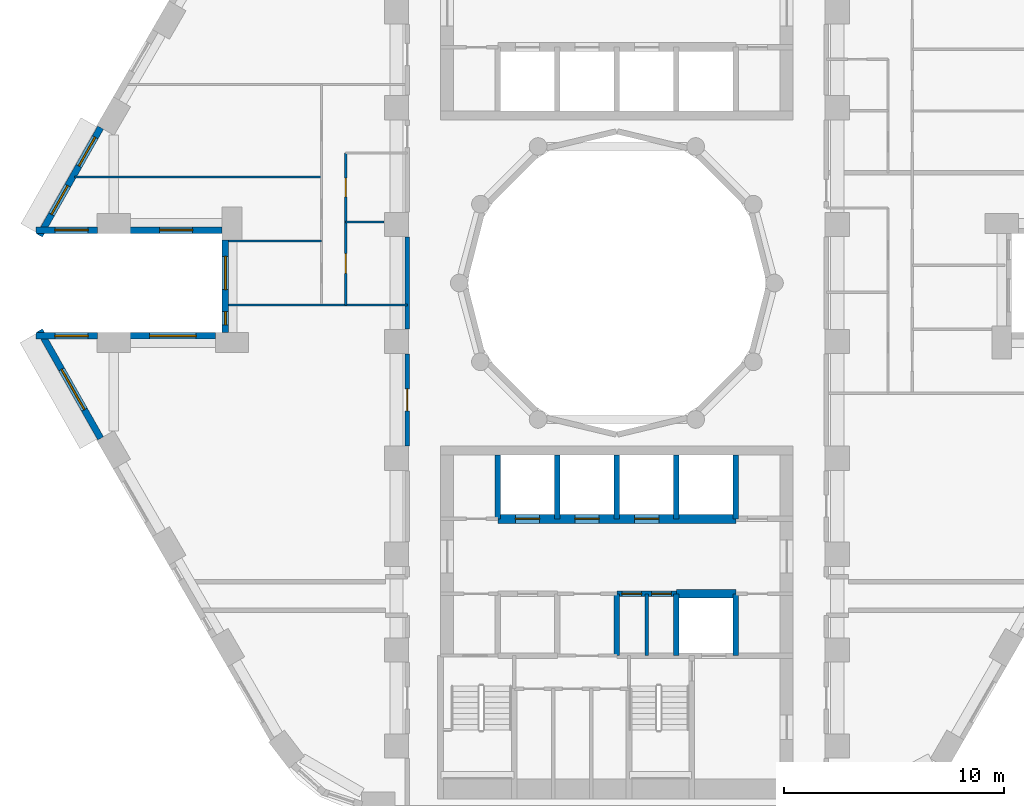
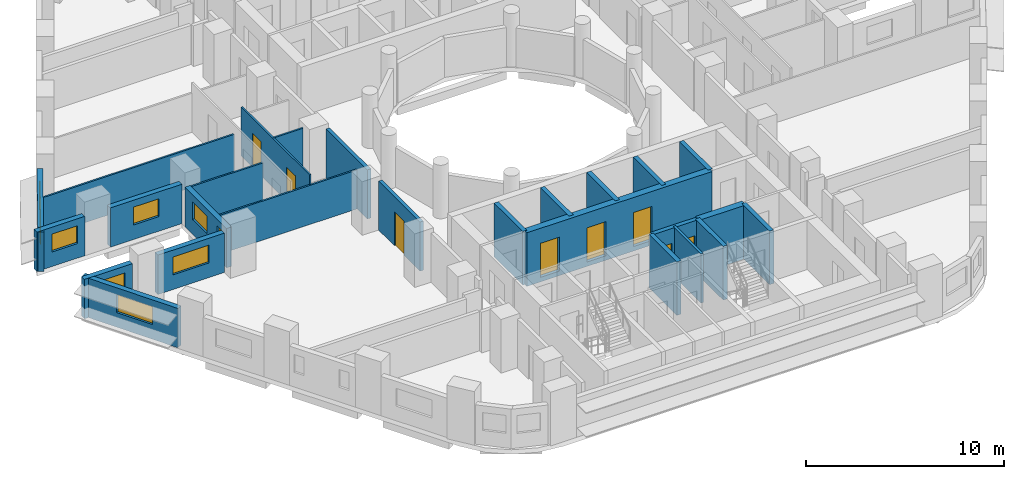
# One storey, part 4 of 13: 26 walls, 9 windows, 8 doors, 17 openings.
"""IFC4 building model written with IfcOpenShell, lengths in metres."""

from ifc_helpers import new_model, si_unit, direction, frame, frame_2d, origin, place, context, subcontext, project, spatial, rectangle, extrude, material, layer, layer_set, type_object, element, fill, save


model = new_model("IFC4")

# Units and contexts
model_context = context("Model", 3, precision=1e-05, world=origin(), true_north=direction((0.0, 1.0)))
body_context = subcontext(model_context, "Body", "Model", "MODEL_VIEW")
ifc_project = project(units=[si_unit("LENGTHUNIT", "METRE"), si_unit("AREAUNIT", "SQUARE_METRE"), si_unit("VOLUMEUNIT", "CUBIC_METRE"), si_unit("PLANEANGLEUNIT", "RADIAN"), si_unit("MASSUNIT", "GRAM", prefix="KILO")], contexts=[model_context])

# Site, building, storey
site_placement = place(None, origin())
site = spatial("IfcSite", under=ifc_project, at=site_placement, CompositionType="ELEMENT")
building_placement = place(site_placement, origin())
building = spatial("IfcBuilding", under=site, at=building_placement, Name="Nakaniwa Court", CompositionType="ELEMENT")
storey_placement = place(building_placement, frame((0.0, 0.0, 64.5)))
storey = spatial("IfcBuildingStorey", under=building, at=storey_placement, Name="L17", CompositionType="ELEMENT", Elevation=64.5)

# Wall, opening, door
ifc_material_1 = material(Name="Acoustic double stud partition")
ifc_layer_1 = layer(ifc_material_1, 0.199951171875)
ifc_layer_set_1 = layer_set([ifc_layer_1], Name="Acoustic double stud partition")
wall_type_1 = type_object("IfcWallType", Name="Acoustic double stud partition 200", PredefinedType="PARTITIONING", material=ifc_layer_set_1)
wall_1_placement = place(storey_placement, frame((70.5, 72.616943359375, 0.0), z_axis=(0.0, 0.0, 1.0), x_axis=(0.0, 1.0, 0.0)))
wall_1 = element("IfcWall", 1, at=wall_1_placement, inside=storey, type_object=wall_type_1, Name="Partition PW-105", PredefinedType="PARTITIONING", context=body_context, shape_type="SweptSolid", body=[
    extrude(rectangle(XDim=4.166015625, YDim=0.199951171875, at=frame_2d((2.0830078125, 0.0))), origin(), (0.0, 0.0, 1.0), 3.02490234375),
])
opening_1_placement = place(wall_1_placement, frame((1.5830078125, 0.0, 0.0)))
opening_1 = element("IfcOpeningElement", 2, at=opening_1_placement, cuts=wall_1, Name="Opening D-02-05", PredefinedType="OPENING", context=body_context, shape_type="SweptSolid", body=[
    extrude(rectangle(XDim=1.0, YDim=2.10009765625, at=frame_2d((0.5, 1.050048828125))), frame((0.0, 0.10986328125, 0.0), z_axis=(0.0, -1.0, 0.0), x_axis=(1.0, 0.0, 0.0)), (0.0, 0.0, 1.0), 0.219970703125),
])
ifc_material_2 = material(Name="Solid core timber door set, black veneer", Category="wood")
door_type_1 = type_object("IfcDoorType", Name="Internal door 1000", OperationType="NOTDEFINED", PredefinedType="DOOR", material=ifc_material_2)
door_1_placement = place(opening_1_placement, origin())
door_1 = element("IfcDoor", 3, at=door_1_placement, inside=storey, type_object=door_type_1, Name="Door D-02-05 L17-045", OperationType="SINGLE_SWING_RIGHT", OverallHeight=2.10009765625, OverallWidth=1.0, PredefinedType="DOOR", context=body_context, shape_type="SweptSolid", body=[
    extrude(rectangle(XDim=1.0, YDim=2.10009765625, at=frame_2d((0.5, 1.050048828125))), frame((0.0, 0.02490234375, 0.0), z_axis=(0.0, -1.0, 0.0), x_axis=(1.0, 0.0, 0.0)), (0.0, 0.0, 1.0), 0.050048828125),
])
fill(opening_1, door_1)

# Wall
wall_2_placement = place(storey_placement, frame((70.5, 77.9169921875, 0.0), z_axis=(0.0, 0.0, 1.0), x_axis=(0.0, 1.0, 0.0)))
element("IfcWall", 4, at=wall_2_placement, inside=storey, type_object=wall_type_1, Name="Partition PW-106", PredefinedType="PARTITIONING", context=body_context, shape_type="SweptSolid", body=[
    extrude(rectangle(XDim=4.166015625, YDim=0.199951171875, at=frame_2d((2.0830078125, 0.0))), origin(), (0.0, 0.0, 1.0), 3.02490234375),
])

# Wall, openings, windows
ifc_material_3 = material(Name="Charcoal ceramic cladding")
ifc_layer_2 = layer(ifc_material_3, 0.02, Name="Ceramic cladding")
ifc_material_4 = material(Name="Ventilated air cavity")
ifc_layer_3 = layer(ifc_material_4, 0.04, ventilated=True, Name="Ventilated cavity")
ifc_material_5 = material(Name="Mineral wool insulation")
ifc_layer_4 = layer(ifc_material_5, 0.1, Name="Insulation")
ifc_material_6 = material(Name="Cement bonded sheathing board")
ifc_layer_5 = layer(ifc_material_6, 0.012, Name="Sheathing")
ifc_material_7 = material(Name="Cold-formed galvanised stud frame with mineral wool infill")
ifc_layer_6 = layer(ifc_material_7, 0.1, Name="Stud frame")
ifc_material_8 = material(Name="Fire-rated gypsum plasterboard lining")
ifc_layer_7 = layer(ifc_material_8, 0.028, Name="Lining")
ifc_layer_set_2 = layer_set([ifc_layer_2, ifc_layer_3, ifc_layer_4, ifc_layer_5, ifc_layer_6, ifc_layer_7], Name="Charcoal ceramic faced external wall system")
wall_type_2 = type_object("IfcWallType", Name="Black ceramic faced external wall 300", PredefinedType="SOLIDWALL", material=ifc_layer_set_2)
wall_3_placement = place(storey_placement, frame((56.584228515625, 87.050537109375, 0.0), z_axis=(0.0, 0.0, 1.0), x_axis=(-0.492363204642, -0.870389840655, 0.0)))
wall_3 = element("IfcWall", 5, at=wall_3_placement, inside=storey, type_object=wall_type_2, Name="L17 external wall 14", PredefinedType="SOLIDWALL", context=body_context, shape_type="SweptSolid", body=[
    extrude(rectangle(XDim=5.62646484375, YDim=0.300048828125, at=frame_2d((2.813232421875, 0.0))), origin(), (0.0, 0.0, 1.0), 2.425048828125),
])
opening_2_placement = place(wall_3_placement, frame((0.50390625, 0.0, 0.89990234375)))
opening_2 = element("IfcOpeningElement", 6, at=opening_2_placement, cuts=wall_3, Name="Opening W5.14", PredefinedType="OPENING", context=body_context, shape_type="SweptSolid", body=[
    extrude(rectangle(XDim=1.5, YDim=1.10009765625, at=frame_2d((0.75, 0.550048828125))), frame((0.0, 0.159912109375, 0.0), z_axis=(0.0, -1.0, 0.0), x_axis=(1.0, 0.0, 0.0)), (0.0, 0.0, 1.0), 0.320068359375),
])
opening_3_placement = place(wall_3_placement, frame((3.0283203125, 0.0, 0.89990234375)))
opening_3 = element("IfcOpeningElement", 7, at=opening_3_placement, cuts=wall_3, Name="Opening W5.15", PredefinedType="OPENING", context=body_context, shape_type="SweptSolid", body=[
    extrude(rectangle(XDim=1.5, YDim=1.10009765625, at=frame_2d((0.75, 0.550048828125))), frame((0.0, 0.159912109375, 0.0), z_axis=(0.0, -1.0, 0.0), x_axis=(1.0, 0.0, 0.0)), (0.0, 0.0, 1.0), 0.320068359375),
])
ifc_material_9 = material(Name="Black anodised aluminium frame with dark low-E laminated double glazing", Category="aluminium")
window_type_1 = type_object("IfcWindowType", Name="Dark glass window 1500x1100 sill 900", PartitioningType="SINGLE_PANEL", PredefinedType="WINDOW", material=ifc_material_9)
window_1_placement = place(opening_2_placement, origin())
window_1 = element("IfcWindow", 8, at=window_1_placement, inside=storey, type_object=window_type_1, Name="L17 living window 14-0", OverallHeight=1.10009765625, OverallWidth=1.5, PartitioningType="SINGLE_PANEL", PredefinedType="WINDOW", context=body_context, shape_type="SweptSolid", body=[
    extrude(rectangle(XDim=1.5, YDim=1.10009765625, at=frame_2d((0.75, 0.550048828125))), frame((0.0, 0.030029296875, 0.0), z_axis=(0.0, -1.0, 0.0), x_axis=(1.0, 0.0, 0.0)), (0.0, 0.0, 1.0), 0.06005859375),
])
fill(opening_2, window_1)
window_2_placement = place(opening_3_placement, origin())
window_2 = element("IfcWindow", 9, at=window_2_placement, inside=storey, type_object=window_type_1, Name="L17 bedroom window 14-1", OverallHeight=1.10009765625, OverallWidth=1.5, PartitioningType="SINGLE_PANEL", PredefinedType="WINDOW", context=body_context, shape_type="SweptSolid", body=[
    extrude(rectangle(XDim=1.5, YDim=1.10009765625, at=frame_2d((0.75, 0.550048828125))), frame((0.0, 0.030029296875, 0.0), z_axis=(0.0, -1.0, 0.0), x_axis=(1.0, 0.0, 0.0)), (0.0, 0.0, 1.0), 0.06005859375),
])
fill(opening_3, window_2)

# Wall, opening, window
wall_4_placement = place(storey_placement, frame((53.643310546875, 82.39990234375, 0.0), z_axis=(0.0, 0.0, 1.0), x_axis=(1.0, 0.0, 0.0)))
wall_4 = element("IfcWall", 10, at=wall_4_placement, inside=storey, type_object=wall_type_2, Name="L17 external wall 15", PredefinedType="SOLIDWALL", context=body_context, shape_type="SweptSolid", body=[
    extrude(rectangle(XDim=2.787841796875, YDim=0.300048828125, at=frame_2d((1.39404296875, 0.0))), origin(), (0.0, 0.0, 1.0), 2.425048828125),
])
opening_4_placement = place(wall_4_placement, frame((0.868896484375, 0.0, 0.89990234375)))
opening_4 = element("IfcOpeningElement", 11, at=opening_4_placement, cuts=wall_4, Name="Opening W5.16", PredefinedType="OPENING", context=body_context, shape_type="SweptSolid", body=[
    extrude(rectangle(XDim=1.5, YDim=1.10009765625, at=frame_2d((0.75, 0.550048828125))), frame((0.0, 0.159912109375, 0.0), z_axis=(0.0, -1.0, 0.0), x_axis=(1.0, 0.0, 0.0)), (0.0, 0.0, 1.0), 0.320068359375),
])
window_3_placement = place(opening_4_placement, origin())
window_3 = element("IfcWindow", 12, at=window_3_placement, inside=storey, type_object=window_type_1, Name="L17 bedroom window 15-0", OverallHeight=1.10009765625, OverallWidth=1.5, PartitioningType="SINGLE_PANEL", PredefinedType="WINDOW", context=body_context, shape_type="SweptSolid", body=[
    extrude(rectangle(XDim=1.5, YDim=1.10009765625, at=frame_2d((0.75, 0.550048828125))), frame((0.0, 0.030029296875, 0.0), z_axis=(0.0, -1.0, 0.0), x_axis=(1.0, 0.0, 0.0)), (0.0, 0.0, 1.0), 0.06005859375),
])
fill(opening_4, window_3)

wall_5_placement = place(storey_placement, frame((57.923095703125, 82.39990234375, 0.0), z_axis=(0.0, 0.0, 1.0), x_axis=(1.0, 0.0, 0.0)))
wall_5 = element("IfcWall", 13, at=wall_5_placement, inside=storey, type_object=wall_type_2, Name="L17 external wall 16", PredefinedType="SOLIDWALL", context=body_context, shape_type="SweptSolid", body=[
    extrude(rectangle(XDim=4.172607421875, YDim=0.300048828125, at=frame_2d((2.08642578125, 0.0))), origin(), (0.0, 0.0, 1.0), 2.425048828125),
])
opening_5_placement = place(wall_5_placement, frame((1.336181640625, 0.0, 0.89990234375)))
opening_5 = element("IfcOpeningElement", 14, at=opening_5_placement, cuts=wall_5, Name="Opening W5.17", PredefinedType="OPENING", context=body_context, shape_type="SweptSolid", body=[
    extrude(rectangle(XDim=1.5, YDim=1.10009765625, at=frame_2d((0.75, 0.550048828125))), frame((0.0, 0.159912109375, 0.0), z_axis=(0.0, -1.0, 0.0), x_axis=(1.0, 0.0, 0.0)), (0.0, 0.0, 1.0), 0.320068359375),
])
window_4_placement = place(opening_5_placement, origin())
window_4 = element("IfcWindow", 15, at=window_4_placement, inside=storey, type_object=window_type_1, Name="L17 bedroom window 16-0", OverallHeight=1.10009765625, OverallWidth=1.5, PartitioningType="SINGLE_PANEL", PredefinedType="WINDOW", context=body_context, shape_type="SweptSolid", body=[
    extrude(rectangle(XDim=1.5, YDim=1.10009765625, at=frame_2d((0.75, 0.550048828125))), frame((0.0, 0.030029296875, 0.0), z_axis=(0.0, -1.0, 0.0), x_axis=(1.0, 0.0, 0.0)), (0.0, 0.0, 1.0), 0.06005859375),
])
fill(opening_5, window_4)

# Wall, openings, windows
wall_6_placement = place(storey_placement, frame((62.24169921875, 81.9541015625, 0.0), z_axis=(0.0, 0.0, 1.0), x_axis=(0.0, -1.0, 0.0)))
wall_6 = element("IfcWall", 16, at=wall_6_placement, inside=storey, type_object=wall_type_2, Name="L17 external wall 17", PredefinedType="SOLIDWALL", context=body_context, shape_type="SweptSolid", body=[
    extrude(rectangle(XDim=4.2080078125, YDim=0.300048828125, at=frame_2d((2.10400390625, 0.0))), origin(), (0.0, 0.0, 1.0), 2.425048828125),
])
opening_6_placement = place(wall_6_placement, frame((0.75244140625, 0.0, 0.89990234375)))
opening_6 = element("IfcOpeningElement", 17, at=opening_6_placement, cuts=wall_6, Name="Opening W5.18", PredefinedType="OPENING", context=body_context, shape_type="SweptSolid", body=[
    extrude(rectangle(XDim=1.5, YDim=1.10009765625, at=frame_2d((0.75, 0.550048828125))), frame((0.0, 0.159912109375, 0.0), z_axis=(0.0, -1.0, 0.0), x_axis=(1.0, 0.0, 0.0)), (0.0, 0.0, 1.0), 0.320068359375),
])
opening_7_placement = place(wall_6_placement, frame((3.256103515625, 0.0, 0.89990234375)))
opening_7 = element("IfcOpeningElement", 18, at=opening_7_placement, cuts=wall_6, Name="Opening W8.19", PredefinedType="OPENING", context=body_context, shape_type="SweptSolid", body=[
    extrude(rectangle(XDim=0.60009765625, YDim=1.10009765625, at=frame_2d((0.300048828125, 0.550048828125))), frame((0.0, 0.159912109375, 0.0), z_axis=(0.0, -1.0, 0.0), x_axis=(1.0, 0.0, 0.0)), (0.0, 0.0, 1.0), 0.320068359375),
])
window_5_placement = place(opening_6_placement, origin())
window_5 = element("IfcWindow", 19, at=window_5_placement, inside=storey, type_object=window_type_1, Name="L17 bedroom window 17-0", OverallHeight=1.10009765625, OverallWidth=1.5, PartitioningType="SINGLE_PANEL", PredefinedType="WINDOW", context=body_context, shape_type="SweptSolid", body=[
    extrude(rectangle(XDim=1.5, YDim=1.10009765625, at=frame_2d((0.75, 0.550048828125))), frame((0.0, 0.030029296875, 0.0), z_axis=(0.0, -1.0, 0.0), x_axis=(1.0, 0.0, 0.0)), (0.0, 0.0, 1.0), 0.06005859375),
])
fill(opening_6, window_5)
window_type_2 = type_object("IfcWindowType", Name="Dark glass window 600x1100 sill 900", PartitioningType="SINGLE_PANEL", PredefinedType="WINDOW", material=ifc_material_9)
window_6_placement = place(opening_7_placement, origin())
window_6 = element("IfcWindow", 20, at=window_6_placement, inside=storey, type_object=window_type_2, Name="L17 habitable room window 17-1", OverallHeight=1.10009765625, OverallWidth=0.60009765625, PartitioningType="SINGLE_PANEL", PredefinedType="WINDOW", context=body_context, shape_type="SweptSolid", body=[
    extrude(rectangle(XDim=0.60009765625, YDim=1.10009765625, at=frame_2d((0.300048828125, 0.550048828125))), frame((0.0, 0.030029296875, 0.0), z_axis=(0.0, -1.0, 0.0), x_axis=(1.0, 0.0, 0.0)), (0.0, 0.0, 1.0), 0.06005859375),
])
fill(opening_7, window_6)

# Wall, opening, window
wall_7_placement = place(storey_placement, frame((61.795654296875, 77.60009765625, 0.0), z_axis=(0.0, 0.0, 1.0), x_axis=(-1.0, 0.0, 0.0)))
wall_7 = element("IfcWall", 21, at=wall_7_placement, inside=storey, type_object=wall_type_2, Name="L17 external wall 18", PredefinedType="SOLIDWALL", context=body_context, shape_type="SweptSolid", body=[
    extrude(rectangle(XDim=3.87255859375, YDim=0.300048828125, at=frame_2d((1.936279296875, 0.0))), origin(), (0.0, 0.0, 1.0), 2.425048828125),
])
opening_8_placement = place(wall_7_placement, frame((0.88623046875, 0.0, 0.89990234375)))
opening_8 = element("IfcOpeningElement", 22, at=opening_8_placement, cuts=wall_7, Name="Opening W7.20", PredefinedType="OPENING", context=body_context, shape_type="SweptSolid", body=[
    extrude(rectangle(XDim=2.10009765625, YDim=1.10009765625, at=frame_2d((1.050048828125, 0.550048828125))), frame((0.0, 0.159912109375, 0.0), z_axis=(0.0, -1.0, 0.0), x_axis=(1.0, 0.0, 0.0)), (0.0, 0.0, 1.0), 0.320068359375),
])
window_type_3 = type_object("IfcWindowType", Name="Dark glass window 2100x1100 sill 900", PartitioningType="SINGLE_PANEL", PredefinedType="WINDOW", material=ifc_material_9)
window_7_placement = place(opening_8_placement, origin())
window_7 = element("IfcWindow", 23, at=window_7_placement, inside=storey, type_object=window_type_3, Name="L17 habitable room window 18-0", OverallHeight=1.10009765625, OverallWidth=2.10009765625, PartitioningType="SINGLE_PANEL", PredefinedType="WINDOW", context=body_context, shape_type="SweptSolid", body=[
    extrude(rectangle(XDim=2.10009765625, YDim=1.10009765625, at=frame_2d((1.050048828125, 0.550048828125))), frame((0.0, 0.030029296875, 0.0), z_axis=(0.0, -1.0, 0.0), x_axis=(1.0, 0.0, 0.0)), (0.0, 0.0, 1.0), 0.06005859375),
])
fill(opening_8, window_7)

wall_8_placement = place(storey_placement, frame((56.43115234375, 77.60009765625, 0.0), z_axis=(0.0, 0.0, 1.0), x_axis=(-1.0, 0.0, 0.0)))
wall_8 = element("IfcWall", 24, at=wall_8_placement, inside=storey, type_object=wall_type_2, Name="L17 external wall 19", PredefinedType="SOLIDWALL", context=body_context, shape_type="SweptSolid", body=[
    extrude(rectangle(XDim=2.787841796875, YDim=0.300048828125, at=frame_2d((1.39404296875, 0.0))), origin(), (0.0, 0.0, 1.0), 2.425048828125),
])
opening_9_placement = place(wall_8_placement, frame((0.4189453125, 0.0, 0.89990234375)))
opening_9 = element("IfcOpeningElement", 25, at=opening_9_placement, cuts=wall_8, Name="Opening W5.21", PredefinedType="OPENING", context=body_context, shape_type="SweptSolid", body=[
    extrude(rectangle(XDim=1.5, YDim=1.10009765625, at=frame_2d((0.75, 0.550048828125))), frame((0.0, 0.159912109375, 0.0), z_axis=(0.0, -1.0, 0.0), x_axis=(1.0, 0.0, 0.0)), (0.0, 0.0, 1.0), 0.320068359375),
])
window_8_placement = place(opening_9_placement, origin())
window_8 = element("IfcWindow", 26, at=window_8_placement, inside=storey, type_object=window_type_1, Name="L17 habitable room window 19-0", OverallHeight=1.10009765625, OverallWidth=1.5, PartitioningType="SINGLE_PANEL", PredefinedType="WINDOW", context=body_context, shape_type="SweptSolid", body=[
    extrude(rectangle(XDim=1.5, YDim=1.10009765625, at=frame_2d((0.75, 0.550048828125))), frame((0.0, 0.030029296875, 0.0), z_axis=(0.0, -1.0, 0.0), x_axis=(1.0, 0.0, 0.0)), (0.0, 0.0, 1.0), 0.06005859375),
])
fill(opening_9, window_8)

wall_9_placement = place(storey_placement, frame((53.81396484375, 77.8466796875, 0.0), z_axis=(0.0, 0.0, 1.0), x_axis=(0.492363204642, -0.870389840655, 0.0)))
wall_9 = element("IfcWall", 27, at=wall_9_placement, inside=storey, type_object=wall_type_2, Name="L17 external wall 20", PredefinedType="SOLIDWALL", context=body_context, shape_type="SweptSolid", body=[
    extrude(rectangle(XDim=5.62646484375, YDim=0.300048828125, at=frame_2d((2.813232421875, 0.0))), origin(), (0.0, 0.0, 1.0), 2.425048828125),
])
opening_10_placement = place(wall_9_placement, frame((2.0263671875, 0.0, 0.89990234375)))
opening_10 = element("IfcOpeningElement", 28, at=opening_10_placement, cuts=wall_9, Name="Opening W7.22", PredefinedType="OPENING", context=body_context, shape_type="SweptSolid", body=[
    extrude(rectangle(XDim=2.10009765625, YDim=1.10009765625, at=frame_2d((1.050048828125, 0.550048828125))), frame((0.0, 0.159912109375, 0.0), z_axis=(0.0, -1.0, 0.0), x_axis=(1.0, 0.0, 0.0)), (0.0, 0.0, 1.0), 0.320068359375),
])
window_9_placement = place(opening_10_placement, origin())
window_9 = element("IfcWindow", 29, at=window_9_placement, inside=storey, type_object=window_type_3, Name="L17 habitable room window 20-0", OverallHeight=1.10009765625, OverallWidth=2.10009765625, PartitioningType="SINGLE_PANEL", PredefinedType="WINDOW", context=body_context, shape_type="SweptSolid", body=[
    extrude(rectangle(XDim=2.10009765625, YDim=1.10009765625, at=frame_2d((1.050048828125, 0.550048828125))), frame((0.0, 0.030029296875, 0.0), z_axis=(0.0, -1.0, 0.0), x_axis=(1.0, 0.0, 0.0)), (0.0, 0.0, 1.0), 0.06005859375),
])
fill(opening_10, window_9)

# Wall
ifc_material_10 = material(Name="Blockwork partition", Category="masonry")
ifc_layer_8 = layer(ifc_material_10, 0.14990234375)
ifc_layer_set_3 = layer_set([ifc_layer_8], Name="Blockwork partition")
wall_type_3 = type_object("IfcWallType", Name="Blockwork partition 150", PredefinedType="PARTITIONING", material=ifc_layer_set_3)
wall_10_placement = place(storey_placement, frame((81.35009765625, 63.10009765625, 0.0), z_axis=(0.0, 0.0, 1.0), x_axis=(0.0, 1.0, 0.0)))
element("IfcWall", 30, at=wall_10_placement, inside=storey, type_object=wall_type_3, Name="Partition PW-061", PredefinedType="PARTITIONING", context=body_context, shape_type="SweptSolid", body=[
    extrude(rectangle(XDim=2.7998046875, YDim=0.14990234375, at=frame_2d((1.39990234375, 0.0))), origin(), (0.0, 0.0, 1.0), 3.02490234375),
])

# Wall, openings, doors
ifc_material_11 = material(Name="Concrete C100/115", Category="concrete")
ifc_layer_9 = layer(ifc_material_11, 0.39990234375)
ifc_layer_set_4 = layer_set([ifc_layer_9], Name="Concrete C100/115")
wall_type_4 = type_object("IfcWallType", Name="Concrete core spine wall 400 C100", PredefinedType="SHEAR", material=ifc_layer_set_4)
wall_11_placement = place(storey_placement, frame((74.60009765625, 69.300048828125, -0.27490234375), z_axis=(0.0, 0.0, 1.0), x_axis=(1.0, 0.0, 0.0)))
wall_11 = element("IfcWall", 31, at=wall_11_placement, inside=storey, type_object=wall_type_4, Name="Core wall SW-42", PredefinedType="SHEAR", context=body_context, shape_type="SweptSolid", body=[
    extrude(rectangle(XDim=10.7998046875, YDim=0.39990234375, at=frame_2d((5.39990234375, 0.0))), origin(), (0.0, 0.0, 1.0), 3.2998046875),
])
opening_11_placement = place(wall_11_placement, frame((0.800048828125, 0.0, 0.27490234375)))
opening_11 = element("IfcOpeningElement", 32, at=opening_11_placement, cuts=wall_11, Name="Opening LD05", PredefinedType="OPENING", context=body_context, shape_type="SweptSolid", body=[
    extrude(rectangle(XDim=1.10009765625, YDim=2.10009765625, at=frame_2d((0.550048828125, 1.050048828125))), frame((0.0, 0.2099609375, 0.0), z_axis=(0.0, -1.0, 0.0), x_axis=(1.0, 0.0, 0.0)), (0.0, 0.0, 1.0), 0.419921875),
])
opening_12_placement = place(wall_11_placement, frame((3.5, 0.0, 0.27490234375)))
opening_12 = element("IfcOpeningElement", 33, at=opening_12_placement, cuts=wall_11, Name="Opening LD06", PredefinedType="OPENING", context=body_context, shape_type="SweptSolid", body=[
    extrude(rectangle(XDim=1.10009765625, YDim=2.10009765625, at=frame_2d((0.550048828125, 1.050048828125))), frame((0.0, 0.2099609375, 0.0), z_axis=(0.0, -1.0, 0.0), x_axis=(1.0, 0.0, 0.0)), (0.0, 0.0, 1.0), 0.419921875),
])
opening_13_placement = place(wall_11_placement, frame((6.199951171875, 0.0, 0.27490234375)))
opening_13 = element("IfcOpeningElement", 34, at=opening_13_placement, cuts=wall_11, Name="Opening LD07", PredefinedType="OPENING", context=body_context, shape_type="SweptSolid", body=[
    extrude(rectangle(XDim=1.10009765625, YDim=2.10009765625, at=frame_2d((0.550048828125, 1.050048828125))), frame((0.0, 0.2099609375, 0.0), z_axis=(0.0, -1.0, 0.0), x_axis=(1.0, 0.0, 0.0)), (0.0, 0.0, 1.0), 0.419921875),
])
ifc_material_12 = material(Name="Stainless steel sliding lift landing door", Category="steel")
door_type_2 = type_object("IfcDoorType", Name="Lift landing door 1100", OperationType="NOTDEFINED", PredefinedType="DOOR", material=ifc_material_12)
door_2_placement = place(opening_11_placement, origin())
door_2 = element("IfcDoor", 35, at=door_2_placement, inside=storey, type_object=door_type_2, Name="Lift landing door LD05 L17-005", OperationType="SLIDING_TO_LEFT", OverallHeight=2.10009765625, OverallWidth=1.10009765625, PredefinedType="DOOR", context=body_context, shape_type="SweptSolid", body=[
    extrude(rectangle(XDim=1.10009765625, YDim=2.10009765625, at=frame_2d((0.550048828125, 1.050048828125))), frame((0.0, 0.02490234375, 0.0), z_axis=(0.0, -1.0, 0.0), x_axis=(1.0, 0.0, 0.0)), (0.0, 0.0, 1.0), 0.050048828125),
])
fill(opening_11, door_2)
door_3_placement = place(opening_12_placement, origin())
door_3 = element("IfcDoor", 36, at=door_3_placement, inside=storey, type_object=door_type_2, Name="Lift landing door LD06 L17-006", OperationType="SLIDING_TO_LEFT", OverallHeight=2.10009765625, OverallWidth=1.10009765625, PredefinedType="DOOR", context=body_context, shape_type="SweptSolid", body=[
    extrude(rectangle(XDim=1.10009765625, YDim=2.10009765625, at=frame_2d((0.550048828125, 1.050048828125))), frame((0.0, 0.02490234375, 0.0), z_axis=(0.0, -1.0, 0.0), x_axis=(1.0, 0.0, 0.0)), (0.0, 0.0, 1.0), 0.050048828125),
])
fill(opening_12, door_3)
door_4_placement = place(opening_13_placement, origin())
door_4 = element("IfcDoor", 37, at=door_4_placement, inside=storey, type_object=door_type_2, Name="Lift landing door LD07 L17-007", OperationType="SLIDING_TO_LEFT", OverallHeight=2.10009765625, OverallWidth=1.10009765625, PredefinedType="DOOR", context=body_context, shape_type="SweptSolid", body=[
    extrude(rectangle(XDim=1.10009765625, YDim=2.10009765625, at=frame_2d((0.550048828125, 1.050048828125))), frame((0.0, 0.02490234375, 0.0), z_axis=(0.0, -1.0, 0.0), x_axis=(1.0, 0.0, 0.0)), (0.0, 0.0, 1.0), 0.050048828125),
])
fill(opening_13, door_4)

# Walls
wall_12_placement = place(storey_placement, frame((82.697021484375, 65.89990234375, -0.27490234375), z_axis=(0.0, 0.0, 1.0), x_axis=(1.0, 0.0, 0.0)))
element("IfcWall", 38, at=wall_12_placement, inside=storey, type_object=wall_type_4, Name="Core wall SW-56", PredefinedType="SHEAR", context=body_context, shape_type="SweptSolid", body=[
    extrude(rectangle(XDim=2.7060546875, YDim=0.39990234375, at=frame_2d((1.35302734375, 0.0))), origin(), (0.0, 0.0, 1.0), 3.2998046875),
])
ifc_layer_10 = layer(ifc_material_11, 0.25)
ifc_layer_set_5 = layer_set([ifc_layer_10], Name="Concrete C100/115")
wall_type_5 = type_object("IfcWallType", Name="Concrete shaft wall 250 C100", PredefinedType="SHEAR", material=ifc_layer_set_5)
for number, where, z_axis, x_axis, name in (
    (39, (74.60009765625, 69.300048828125, -0.27490234375), (0.0, 0.0, 1.0), (0.0, 1.0, 0.0), "Core wall SW-37"),
    (40, (77.300048828125, 69.300048828125, -0.27490234375), (0.0, 0.0, 1.0), (0.0, 1.0, 0.0), "Core wall SW-41"),
):
    element("IfcWall", number, at=place(storey_placement, frame(where, z_axis=z_axis, x_axis=x_axis)), inside=storey, type_object=wall_type_5, Name=name, PredefinedType="SHEAR", context=body_context, shape_type="SweptSolid", body=[
        extrude(rectangle(XDim=2.89990234375, YDim=0.25, at=frame_2d((1.449951171875, 0.0))), origin(), (0.0, 0.0, 1.0), 3.2998046875),
    ])
wall_13_placement = place(storey_placement, frame((80.0, 63.10009765625, -0.27490234375), z_axis=(0.0, 0.0, 1.0), x_axis=(0.0, 1.0, 0.0)))
element("IfcWall", 41, at=wall_13_placement, inside=storey, type_object=wall_type_5, Name="Core wall SW-43", PredefinedType="SHEAR", context=body_context, shape_type="SweptSolid", body=[
    extrude(rectangle(XDim=2.7998046875, YDim=0.25, at=frame_2d((1.39990234375, 0.0))), origin(), (0.0, 0.0, 1.0), 3.2998046875),
])
wall_14_placement = place(storey_placement, frame((80.0, 69.300048828125, -0.27490234375), z_axis=(0.0, 0.0, 1.0), x_axis=(0.0, 1.0, 0.0)))
element("IfcWall", 42, at=wall_14_placement, inside=storey, type_object=wall_type_5, Name="Core wall SW-44", PredefinedType="SHEAR", context=body_context, shape_type="SweptSolid", body=[
    extrude(rectangle(XDim=2.89990234375, YDim=0.25, at=frame_2d((1.449951171875, 0.0))), origin(), (0.0, 0.0, 1.0), 3.2998046875),
])
wall_15_placement = place(storey_placement, frame((82.699951171875, 63.10009765625, -0.27490234375), z_axis=(0.0, 0.0, 1.0), x_axis=(0.0, 1.0, 0.0)))
element("IfcWall", 43, at=wall_15_placement, inside=storey, type_object=wall_type_5, Name="Core wall SW-45", PredefinedType="SHEAR", context=body_context, shape_type="SweptSolid", body=[
    extrude(rectangle(XDim=2.7998046875, YDim=0.25, at=frame_2d((1.39990234375, 0.0))), origin(), (0.0, 0.0, 1.0), 3.2998046875),
])
wall_16_placement = place(storey_placement, frame((82.699951171875, 69.300048828125, -0.27490234375), z_axis=(0.0, 0.0, 1.0), x_axis=(0.0, 1.0, 0.0)))
element("IfcWall", 44, at=wall_16_placement, inside=storey, type_object=wall_type_5, Name="Core wall SW-46", PredefinedType="SHEAR", context=body_context, shape_type="SweptSolid", body=[
    extrude(rectangle(XDim=2.89990234375, YDim=0.25, at=frame_2d((1.449951171875, 0.0))), origin(), (0.0, 0.0, 1.0), 3.2998046875),
])
wall_17_placement = place(storey_placement, frame((85.39990234375, 63.10009765625, -0.27490234375), z_axis=(0.0, 0.0, 1.0), x_axis=(0.0, 1.0, 0.0)))
element("IfcWall", 45, at=wall_17_placement, inside=storey, type_object=wall_type_5, Name="Core wall SW-47", PredefinedType="SHEAR", context=body_context, shape_type="SweptSolid", body=[
    extrude(rectangle(XDim=2.7998046875, YDim=0.25, at=frame_2d((1.39990234375, 0.0))), origin(), (0.0, 0.0, 1.0), 3.2998046875),
])
wall_18_placement = place(storey_placement, frame((85.39990234375, 69.300048828125, -0.27490234375), z_axis=(0.0, 0.0, 1.0), x_axis=(0.0, 1.0, 0.0)))
element("IfcWall", 46, at=wall_18_placement, inside=storey, type_object=wall_type_5, Name="Core wall SW-48", PredefinedType="SHEAR", context=body_context, shape_type="SweptSolid", body=[
    extrude(rectangle(XDim=2.89990234375, YDim=0.25, at=frame_2d((1.449951171875, 0.0))), origin(), (0.0, 0.0, 1.0), 3.2998046875),
])

# Wall, openings, doors
wall_19_placement = place(storey_placement, frame((82.702880859375, 65.89990234375, -0.27490234375), z_axis=(0.0, 0.0, 1.0), x_axis=(-1.0, 0.0, 0.0)))
wall_19 = element("IfcWall", 47, at=wall_19_placement, inside=storey, type_object=wall_type_5, Name="Core wall SW-55", PredefinedType="SHEAR", context=body_context, shape_type="SweptSolid", body=[
    extrude(rectangle(XDim=2.705810546875, YDim=0.25, at=frame_2d((1.35302734375, 0.0))), origin(), (0.0, 0.0, 1.0), 3.2998046875),
])
opening_14_placement = place(wall_19_placement, frame((1.577880859375, 0.0, 0.27490234375)))
opening_14 = element("IfcOpeningElement", 48, at=opening_14_placement, cuts=wall_19, Name="Opening D-05-13", PredefinedType="OPENING", context=body_context, shape_type="SweptSolid", body=[
    extrude(rectangle(XDim=0.89990234375, YDim=2.10009765625, at=frame_2d((0.449951171875, 1.050048828125))), frame((0.0, 0.135009765625, 0.0), z_axis=(0.0, -1.0, 0.0), x_axis=(1.0, 0.0, 0.0)), (0.0, 0.0, 1.0), 0.27001953125),
])
opening_15_placement = place(wall_19_placement, frame((0.22802734375, 0.0, 0.27490234375)))
opening_15 = element("IfcOpeningElement", 49, at=opening_15_placement, cuts=wall_19, Name="Opening D-05-14", PredefinedType="OPENING", context=body_context, shape_type="SweptSolid", body=[
    extrude(rectangle(XDim=0.89990234375, YDim=2.10009765625, at=frame_2d((0.449951171875, 1.050048828125))), frame((0.0, 0.135009765625, 0.0), z_axis=(0.0, -1.0, 0.0), x_axis=(1.0, 0.0, 0.0)), (0.0, 0.0, 1.0), 0.27001953125),
])
ifc_material_13 = material(Name="Fire rated steel door set", Category="steel")
door_type_3 = type_object("IfcDoorType", Name="Service room door 900", OperationType="NOTDEFINED", PredefinedType="DOOR", material=ifc_material_13)
door_5_placement = place(opening_14_placement, origin())
door_5 = element("IfcDoor", 50, at=door_5_placement, inside=storey, type_object=door_type_3, Name="Door D-05-13 L17-020", OperationType="SINGLE_SWING_LEFT", OverallHeight=2.10009765625, OverallWidth=0.89990234375, PredefinedType="DOOR", context=body_context, shape_type="SweptSolid", body=[
    extrude(rectangle(XDim=0.89990234375, YDim=2.10009765625, at=frame_2d((0.449951171875, 1.050048828125))), frame((0.0, 0.02490234375, 0.0), z_axis=(0.0, -1.0, 0.0), x_axis=(1.0, 0.0, 0.0)), (0.0, 0.0, 1.0), 0.050048828125),
])
fill(opening_14, door_5)
door_6_placement = place(opening_15_placement, origin())
door_6 = element("IfcDoor", 51, at=door_6_placement, inside=storey, type_object=door_type_3, Name="Door D-05-14 L17-021", OperationType="SINGLE_SWING_RIGHT", OverallHeight=2.10009765625, OverallWidth=0.89990234375, PredefinedType="DOOR", context=body_context, shape_type="SweptSolid", body=[
    extrude(rectangle(XDim=0.89990234375, YDim=2.10009765625, at=frame_2d((0.449951171875, 1.050048828125))), frame((0.0, 0.02490234375, 0.0), z_axis=(0.0, -1.0, 0.0), x_axis=(1.0, 0.0, 0.0)), (0.0, 0.0, 1.0), 0.050048828125),
])
fill(opening_15, door_6)

# Walls
ifc_material_14 = material(Name="Single stud plasterboard partition")
ifc_layer_11 = layer(ifc_material_14, 0.10009765625)
ifc_layer_set_6 = layer_set([ifc_layer_11], Name="Single stud plasterboard partition")
wall_type_6 = type_object("IfcWallType", Name="Single stud plasterboard partition 100", PredefinedType="PARTITIONING", material=ifc_layer_set_6)
wall_20_placement = place(storey_placement, frame((62.3916015625, 79.0, 0.0), z_axis=(0.0, 0.0, 1.0), x_axis=(1.0, 0.0, 0.0)))
element("IfcWall", 52, at=wall_20_placement, inside=storey, type_object=wall_type_6, Name="Partition PW-126", PredefinedType="PARTITIONING", context=body_context, shape_type="SweptSolid", body=[
    extrude(rectangle(XDim=8.1083984375, YDim=0.10009765625, at=frame_2d((4.05419921875, 0.0))), origin(), (0.0, 0.0, 1.0), 2.405029296875),
])
wall_21_placement = place(storey_placement, frame((67.699951171875, 82.763916015625, 0.0), z_axis=(0.0, 0.0, 1.0), x_axis=(1.0, 0.0, 0.0)))
element("IfcWall", 53, at=wall_21_placement, inside=storey, type_object=wall_type_6, Name="Partition PW-127", PredefinedType="PARTITIONING", context=body_context, shape_type="SweptSolid", body=[
    extrude(rectangle(XDim=1.72998046875, YDim=0.10009765625, at=frame_2d((0.864990234375, 0.0))), origin(), (0.0, 0.0, 1.0), 3.02490234375),
])

# Wall, openings, doors
wall_22_placement = place(storey_placement, frame((67.699951171875, 85.89990234375, 0.0), z_axis=(0.0, 0.0, 1.0), x_axis=(0.0, -1.0, 0.0)))
wall_22 = element("IfcWall", 54, at=wall_22_placement, inside=storey, type_object=wall_type_6, Name="Partition PW-128", PredefinedType="PARTITIONING", context=body_context, shape_type="SweptSolid", body=[
    extrude(rectangle(XDim=6.89990234375, YDim=0.10009765625, at=frame_2d((3.449951171875, 0.0))), origin(), (0.0, 0.0, 1.0), 3.02490234375),
])
opening_16_placement = place(wall_22_placement, frame((4.568115234375, 0.0, 0.0)))
opening_16 = element("IfcOpeningElement", 55, at=opening_16_placement, cuts=wall_22, Name="Opening D-33-09", PredefinedType="OPENING", context=body_context, shape_type="SweptSolid", body=[
    extrude(rectangle(XDim=0.89990234375, YDim=2.10009765625, at=frame_2d((0.449951171875, 1.050048828125))), frame((0.0, 0.06005859375, 0.0), z_axis=(0.0, -1.0, 0.0), x_axis=(1.0, 0.0, 0.0)), (0.0, 0.0, 1.0), 0.1201171875),
])
opening_17_placement = place(wall_22_placement, frame((1.14306640625, 0.0, 0.0)))
opening_17 = element("IfcOpeningElement", 56, at=opening_17_placement, cuts=wall_22, Name="Opening D-03-03", PredefinedType="OPENING", context=body_context, shape_type="SweptSolid", body=[
    extrude(rectangle(XDim=0.85009765625, YDim=2.10009765625, at=frame_2d((0.425048828125, 1.050048828125))), frame((0.0, 0.06005859375, 0.0), z_axis=(0.0, -1.0, 0.0), x_axis=(1.0, 0.0, 0.0)), (0.0, 0.0, 1.0), 0.1201171875),
])
ifc_material_15 = material(Name="Moisture sealed timber door set", Category="wood")
door_type_4 = type_object("IfcDoorType", Name="Bathroom door 850", OperationType="NOTDEFINED", PredefinedType="DOOR", material=ifc_material_15)
door_7_placement = place(opening_17_placement, origin())
door_7 = element("IfcDoor", 57, at=door_7_placement, inside=storey, type_object=door_type_4, Name="Door D-03-03 L17-048", OperationType="SINGLE_SWING_LEFT", OverallHeight=2.10009765625, OverallWidth=0.85009765625, PredefinedType="DOOR", context=body_context, shape_type="SweptSolid", body=[
    extrude(rectangle(XDim=0.85009765625, YDim=2.10009765625, at=frame_2d((0.425048828125, 1.050048828125))), frame((0.0, 0.02490234375, 0.0), z_axis=(0.0, -1.0, 0.0), x_axis=(1.0, 0.0, 0.0)), (0.0, 0.0, 1.0), 0.050048828125),
])
fill(opening_17, door_7)
door_type_5 = type_object("IfcDoorType", Name="Internal door 900", OperationType="NOTDEFINED", PredefinedType="DOOR", material=ifc_material_2)
door_8_placement = place(opening_16_placement, origin())
door_8 = element("IfcDoor", 58, at=door_8_placement, inside=storey, type_object=door_type_5, Name="Door D-33-09 L17-047", OperationType="SINGLE_SWING_RIGHT", OverallHeight=2.10009765625, OverallWidth=0.89990234375, PredefinedType="DOOR", context=body_context, shape_type="SweptSolid", body=[
    extrude(rectangle(XDim=0.89990234375, YDim=2.10009765625, at=frame_2d((0.449951171875, 1.050048828125))), frame((0.0, 0.02490234375, 0.0), z_axis=(0.0, -1.0, 0.0), x_axis=(1.0, 0.0, 0.0)), (0.0, 0.0, 1.0), 0.050048828125),
])
fill(opening_16, door_8)

# Walls
wall_23_placement = place(storey_placement, frame((62.3916015625, 81.903076171875, 0.0), z_axis=(0.0, 0.0, 1.0), x_axis=(1.0, 0.0, 0.0)))
element("IfcWall", 59, at=wall_23_placement, inside=storey, type_object=wall_type_6, Name="Partition PW-132", PredefinedType="PARTITIONING", context=body_context, shape_type="SweptSolid", body=[
    extrude(rectangle(XDim=4.20849609375, YDim=0.10009765625, at=frame_2d((2.104248046875, 0.0))), origin(), (0.0, 0.0, 1.0), 2.405029296875),
])
wall_24_placement = place(storey_placement, frame((55.40869140625, 84.805908203125, 0.0), z_axis=(0.0, 0.0, 1.0), x_axis=(1.0, 0.0, 0.0)))
element("IfcWall", 60, at=wall_24_placement, inside=storey, type_object=wall_type_6, Name="Partition PW-133", PredefinedType="PARTITIONING", context=body_context, shape_type="SweptSolid", body=[
    extrude(rectangle(XDim=11.19140625, YDim=0.10009765625, at=frame_2d((5.595703125, 0.0))), origin(), (0.0, 0.0, 1.0), 2.405029296875),
])

save(model, "model.ifc")
